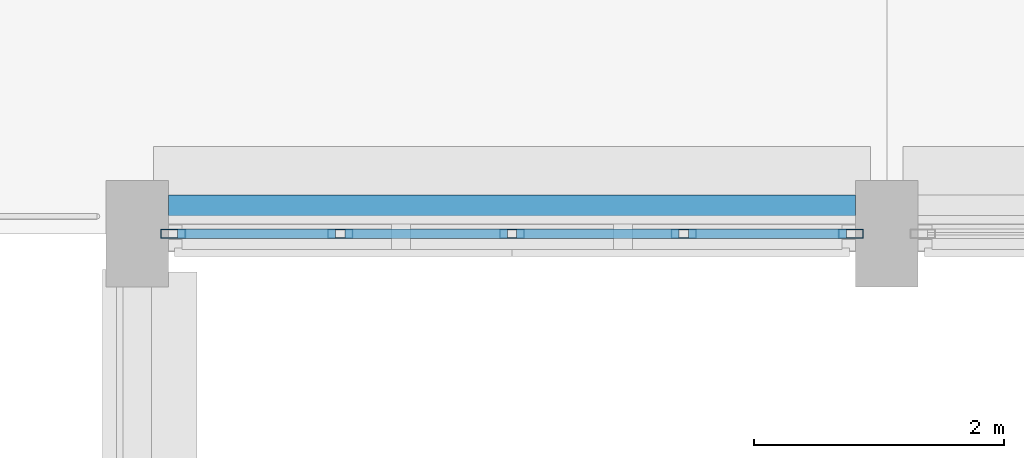
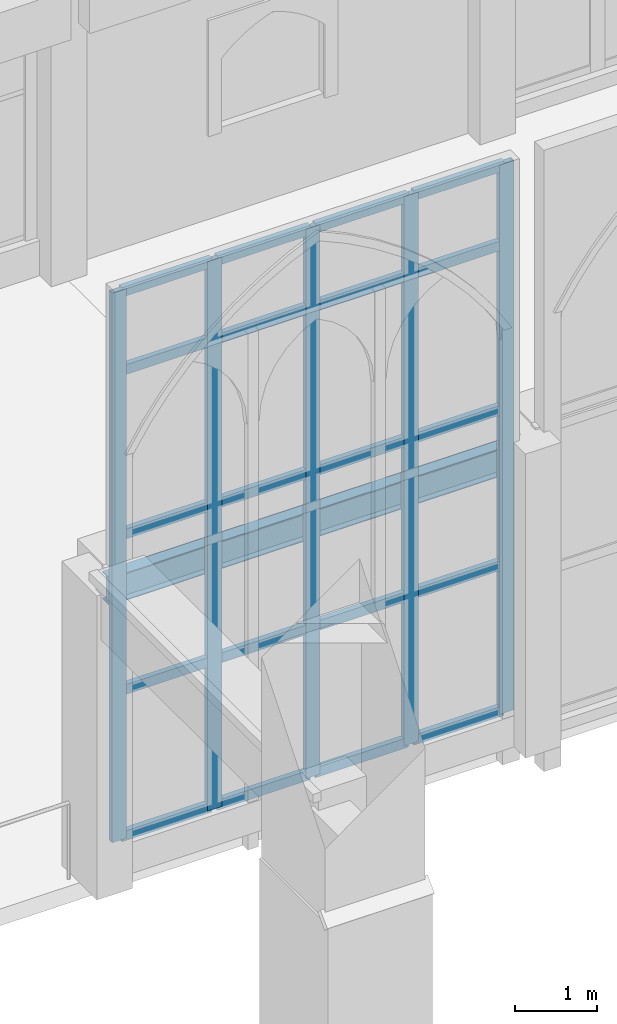
# One storey, part 42 of 108: 25 members, 1 beam, 1 element without a shape of its own.
"""IFC4 building model written with IfcOpenShell, lengths in metres."""

from ifc_helpers import new_model, si_unit, direction, frame, origin, origin_2d, place, context, subcontext, project, spatial, hollow_rectangle, i_section, extrude, material, layer, layer_set, material_profile, profile_set, type_object, element, aggregate, save


model = new_model("IFC4")

# Units and contexts
model_context = context("Model", 3, precision=1e-05, world=origin(), true_north=direction((0.0, 1.0)))
body_context = subcontext(model_context, "Body", "Model", "MODEL_VIEW")
ifc_project = project(units=[si_unit("LENGTHUNIT", "METRE"), si_unit("AREAUNIT", "SQUARE_METRE"), si_unit("VOLUMEUNIT", "CUBIC_METRE"), si_unit("PLANEANGLEUNIT", "RADIAN"), si_unit("MASSUNIT", "GRAM", prefix="KILO")], contexts=[model_context])

# Site, building, storey
site_placement = place(None, origin())
site = spatial("IfcSite", under=ifc_project, at=site_placement, CompositionType="ELEMENT")
building_placement = place(site_placement, origin())
building = spatial("IfcBuilding", under=site, at=building_placement, Name="Cumevento Cable Car Station", CompositionType="ELEMENT")
storey_placement = place(building_placement, frame((0.0, 0.0, 13.5)))
storey = spatial("IfcBuildingStorey", under=building, at=storey_placement, Name="L04", CompositionType="ELEMENT", Elevation=13.5)

# Curtain wall, members
ifc_material_1 = material(Name="Anodised Bronze Aluminium AW-6063-T6", Category="aluminium")
ifc_layer = layer(ifc_material_1, 0.196044921875)
ifc_layer_set = layer_set([ifc_layer], Name="Anodised Bronze Aluminium AW-6063-T6")
curtain_wall_type = type_object("IfcCurtainWallType", Name="Lancet Curtain Wall CW-07 1290", PredefinedType="NOTDEFINED", material=ifc_layer_set)
curtain_wall_placement = place(storey_placement, origin())
curtain_wall = element("IfcCurtainWall", 1, at=curtain_wall_placement, inside=storey, type_object=curtain_wall_type, Name="Lancet Curtain Wall CW-07 L04 #166", PredefinedType="NOTDEFINED")
ifc_material_2 = material(Name="Anodised Bronze Aluminium AW-6063-T6", Category="aluminium")
ifc_material_profile_1 = material_profile(ifc_material_2, hollow_rectangle(XDim=0.074951171875, YDim=0.199951171875, WallThickness=0.0048828125, at=origin_2d()), Name="ALUM75x200x5")
ifc_profile_set_1 = profile_set([ifc_material_profile_1], Name="Anodised Bronze Aluminium AW-6063-T6")
member_type_1 = type_object("IfcMemberType", Name="Curtain Mullion CWM-02 ALUM75x200x5", PredefinedType="MULLION", material=ifc_profile_set_1)
member_1_placement = place(storey_placement, frame((105.71240234375, 45.0, 0.4599609375), z_axis=(0.0, 0.0, 1.0), x_axis=(0.0, -1.0, 0.0)))
member_1 = element("IfcMember", 2, at=member_1_placement, type_object=member_type_1, Name="CW-07 mullion 1", PredefinedType="MULLION", context=body_context, shape_type="SweptSolid", body=[
    extrude(hollow_rectangle(XDim=0.074951171875, YDim=0.199951171875, WallThickness=0.0048828125, at=origin_2d()), origin(), (0.0, 0.0, 1.0), 8.133056640625),
])
member_2_placement = place(storey_placement, frame((104.375, 45.0, 0.4599609375), z_axis=(0.0, 0.0, 1.0), x_axis=(0.0, -1.0, 0.0)))
member_2 = element("IfcMember", 3, at=member_2_placement, type_object=member_type_1, Name="CW-07 mullion 2", PredefinedType="MULLION", context=body_context, shape_type="SweptSolid", body=[
    extrude(hollow_rectangle(XDim=0.074951171875, YDim=0.199951171875, WallThickness=0.0048828125, at=origin_2d()), origin(), (0.0, 0.0, 1.0), 8.133056640625),
])
member_3_placement = place(storey_placement, frame((103.0, 45.0, 0.4599609375), z_axis=(0.0, 0.0, 1.0), x_axis=(0.0, -1.0, 0.0)))
member_3 = element("IfcMember", 4, at=member_3_placement, type_object=member_type_1, Name="CW-07 mullion 3", PredefinedType="MULLION", context=body_context, shape_type="SweptSolid", body=[
    extrude(hollow_rectangle(XDim=0.074951171875, YDim=0.199951171875, WallThickness=0.0048828125, at=origin_2d()), origin(), (0.0, 0.0, 1.0), 8.133056640625),
])
member_4_placement = place(storey_placement, frame((101.625, 45.0, 0.4599609375), z_axis=(0.0, 0.0, 1.0), x_axis=(0.0, -1.0, 0.0)))
member_4 = element("IfcMember", 5, at=member_4_placement, type_object=member_type_1, Name="CW-07 mullion 4", PredefinedType="MULLION", context=body_context, shape_type="SweptSolid", body=[
    extrude(hollow_rectangle(XDim=0.074951171875, YDim=0.199951171875, WallThickness=0.0048828125, at=origin_2d()), origin(), (0.0, 0.0, 1.0), 8.133056640625),
])
member_5_placement = place(storey_placement, frame((100.28759765625, 45.0, 0.4599609375), z_axis=(0.0, 0.0, 1.0), x_axis=(0.0, -1.0, 0.0)))
member_5 = element("IfcMember", 6, at=member_5_placement, type_object=member_type_1, Name="CW-07 mullion 5", PredefinedType="MULLION", context=body_context, shape_type="SweptSolid", body=[
    extrude(hollow_rectangle(XDim=0.074951171875, YDim=0.199951171875, WallThickness=0.0048828125, at=origin_2d()), origin(), (0.0, 0.0, 1.0), 8.133056640625),
])
ifc_material_3 = material(Name="Anodised Bronze Aluminium AW-6063-T6", Category="aluminium")
ifc_material_profile_2 = material_profile(ifc_material_3, hollow_rectangle(XDim=0.074951171875, YDim=0.14501953125, WallThickness=0.00439453125, at=origin_2d()), Name="ALUT75x145x4.5")
ifc_profile_set_2 = profile_set([ifc_material_profile_2], Name="Anodised Bronze Aluminium AW-6063-T6")
member_type_2 = type_object("IfcMemberType", Name="Curtain Transom CWT-02 ALUT75x145x4.5", PredefinedType="USERDEFINED", material=ifc_profile_set_2)
member_6_placement = place(storey_placement, frame((105.675048828125, 45.0, 0.49755859375), z_axis=(-1.0, 0.0, 0.0), x_axis=(0.0, -1.0, 0.0)))
member_6 = element("IfcMember", 7, at=member_6_placement, type_object=member_type_2, Name="CW-07 transom 1.1", ObjectType="TRANSOM", PredefinedType="USERDEFINED", context=body_context, shape_type="SweptSolid", body=[
    extrude(hollow_rectangle(XDim=0.074951171875, YDim=0.14501953125, WallThickness=0.00439453125, at=origin_2d()), origin(), (0.0, 0.0, 1.0), 1.262451171875),
])
member_7_placement = place(storey_placement, frame((105.675048828125, 45.0, 2.659912109375), z_axis=(-1.0, 0.0, 0.0), x_axis=(0.0, -1.0, 0.0)))
member_7 = element("IfcMember", 8, at=member_7_placement, type_object=member_type_2, Name="CW-07 transom 1.2", ObjectType="TRANSOM", PredefinedType="USERDEFINED", context=body_context, shape_type="SweptSolid", body=[
    extrude(hollow_rectangle(XDim=0.074951171875, YDim=0.14501953125, WallThickness=0.00439453125, at=origin_2d()), origin(), (0.0, 0.0, 1.0), 1.262451171875),
])
member_8_placement = place(storey_placement, frame((105.675048828125, 45.0, 4.9599609375), z_axis=(-1.0, 0.0, 0.0), x_axis=(0.0, -1.0, 0.0)))
member_8 = element("IfcMember", 9, at=member_8_placement, type_object=member_type_2, Name="CW-07 transom 1.3", ObjectType="TRANSOM", PredefinedType="USERDEFINED", context=body_context, shape_type="SweptSolid", body=[
    extrude(hollow_rectangle(XDim=0.074951171875, YDim=0.14501953125, WallThickness=0.00439453125, at=origin_2d()), origin(), (0.0, 0.0, 1.0), 1.262451171875),
])
member_9_placement = place(storey_placement, frame((105.675048828125, 45.0, 7.39306640625), z_axis=(-1.0, 0.0, 0.0), x_axis=(0.0, -1.0, 0.0)))
member_9 = element("IfcMember", 10, at=member_9_placement, type_object=member_type_2, Name="CW-07 transom 1.4", ObjectType="TRANSOM", PredefinedType="USERDEFINED", context=body_context, shape_type="SweptSolid", body=[
    extrude(hollow_rectangle(XDim=0.074951171875, YDim=0.14501953125, WallThickness=0.00439453125, at=origin_2d()), origin(), (0.0, 0.0, 1.0), 1.262451171875),
])
member_10_placement = place(storey_placement, frame((105.675048828125, 45.0, 8.555419921875), z_axis=(-1.0, 0.0, 0.0), x_axis=(0.0, -1.0, 0.0)))
member_10 = element("IfcMember", 11, at=member_10_placement, type_object=member_type_2, Name="CW-07 transom 1.5", ObjectType="TRANSOM", PredefinedType="USERDEFINED", context=body_context, shape_type="SweptSolid", body=[
    extrude(hollow_rectangle(XDim=0.074951171875, YDim=0.14501953125, WallThickness=0.00439453125, at=origin_2d()), origin(), (0.0, 0.0, 1.0), 1.262451171875),
])
member_11_placement = place(storey_placement, frame((104.33740234375, 45.0, 0.49755859375), z_axis=(-1.0, 0.0, 0.0), x_axis=(0.0, -1.0, 0.0)))
member_11 = element("IfcMember", 12, at=member_11_placement, type_object=member_type_2, Name="CW-07 transom 2.1", ObjectType="TRANSOM", PredefinedType="USERDEFINED", context=body_context, shape_type="SweptSolid", body=[
    extrude(hollow_rectangle(XDim=0.074951171875, YDim=0.14501953125, WallThickness=0.00439453125, at=origin_2d()), origin(), (0.0, 0.0, 1.0), 1.2998046875),
])
member_12_placement = place(storey_placement, frame((104.33740234375, 45.0, 2.659912109375), z_axis=(-1.0, 0.0, 0.0), x_axis=(0.0, -1.0, 0.0)))
member_12 = element("IfcMember", 13, at=member_12_placement, type_object=member_type_2, Name="CW-07 transom 2.2", ObjectType="TRANSOM", PredefinedType="USERDEFINED", context=body_context, shape_type="SweptSolid", body=[
    extrude(hollow_rectangle(XDim=0.074951171875, YDim=0.14501953125, WallThickness=0.00439453125, at=origin_2d()), origin(), (0.0, 0.0, 1.0), 1.2998046875),
])
member_13_placement = place(storey_placement, frame((104.33740234375, 45.0, 4.9599609375), z_axis=(-1.0, 0.0, 0.0), x_axis=(0.0, -1.0, 0.0)))
member_13 = element("IfcMember", 14, at=member_13_placement, type_object=member_type_2, Name="CW-07 transom 2.3", ObjectType="TRANSOM", PredefinedType="USERDEFINED", context=body_context, shape_type="SweptSolid", body=[
    extrude(hollow_rectangle(XDim=0.074951171875, YDim=0.14501953125, WallThickness=0.00439453125, at=origin_2d()), origin(), (0.0, 0.0, 1.0), 1.2998046875),
])
member_14_placement = place(storey_placement, frame((104.33740234375, 45.0, 7.39306640625), z_axis=(-1.0, 0.0, 0.0), x_axis=(0.0, -1.0, 0.0)))
member_14 = element("IfcMember", 15, at=member_14_placement, type_object=member_type_2, Name="CW-07 transom 2.4", ObjectType="TRANSOM", PredefinedType="USERDEFINED", context=body_context, shape_type="SweptSolid", body=[
    extrude(hollow_rectangle(XDim=0.074951171875, YDim=0.14501953125, WallThickness=0.00439453125, at=origin_2d()), origin(), (0.0, 0.0, 1.0), 1.2998046875),
])
member_15_placement = place(storey_placement, frame((104.33740234375, 45.0, 8.555419921875), z_axis=(-1.0, 0.0, 0.0), x_axis=(0.0, -1.0, 0.0)))
member_15 = element("IfcMember", 16, at=member_15_placement, type_object=member_type_2, Name="CW-07 transom 2.5", ObjectType="TRANSOM", PredefinedType="USERDEFINED", context=body_context, shape_type="SweptSolid", body=[
    extrude(hollow_rectangle(XDim=0.074951171875, YDim=0.14501953125, WallThickness=0.00439453125, at=origin_2d()), origin(), (0.0, 0.0, 1.0), 1.2998046875),
])
member_16_placement = place(storey_placement, frame((102.96240234375, 45.0, 0.49755859375), z_axis=(-1.0, 0.0, 0.0), x_axis=(0.0, -1.0, 0.0)))
member_16 = element("IfcMember", 17, at=member_16_placement, type_object=member_type_2, Name="CW-07 transom 3.1", ObjectType="TRANSOM", PredefinedType="USERDEFINED", context=body_context, shape_type="SweptSolid", body=[
    extrude(hollow_rectangle(XDim=0.074951171875, YDim=0.14501953125, WallThickness=0.00439453125, at=origin_2d()), origin(), (0.0, 0.0, 1.0), 1.2998046875),
])
member_17_placement = place(storey_placement, frame((102.96240234375, 45.0, 2.659912109375), z_axis=(-1.0, 0.0, 0.0), x_axis=(0.0, -1.0, 0.0)))
member_17 = element("IfcMember", 18, at=member_17_placement, type_object=member_type_2, Name="CW-07 transom 3.2", ObjectType="TRANSOM", PredefinedType="USERDEFINED", context=body_context, shape_type="SweptSolid", body=[
    extrude(hollow_rectangle(XDim=0.074951171875, YDim=0.14501953125, WallThickness=0.00439453125, at=origin_2d()), origin(), (0.0, 0.0, 1.0), 1.2998046875),
])
member_18_placement = place(storey_placement, frame((102.96240234375, 45.0, 4.9599609375), z_axis=(-1.0, 0.0, 0.0), x_axis=(0.0, -1.0, 0.0)))
member_18 = element("IfcMember", 19, at=member_18_placement, type_object=member_type_2, Name="CW-07 transom 3.3", ObjectType="TRANSOM", PredefinedType="USERDEFINED", context=body_context, shape_type="SweptSolid", body=[
    extrude(hollow_rectangle(XDim=0.074951171875, YDim=0.14501953125, WallThickness=0.00439453125, at=origin_2d()), origin(), (0.0, 0.0, 1.0), 1.2998046875),
])
member_19_placement = place(storey_placement, frame((102.96240234375, 45.0, 7.39306640625), z_axis=(-1.0, 0.0, 0.0), x_axis=(0.0, -1.0, 0.0)))
member_19 = element("IfcMember", 20, at=member_19_placement, type_object=member_type_2, Name="CW-07 transom 3.4", ObjectType="TRANSOM", PredefinedType="USERDEFINED", context=body_context, shape_type="SweptSolid", body=[
    extrude(hollow_rectangle(XDim=0.074951171875, YDim=0.14501953125, WallThickness=0.00439453125, at=origin_2d()), origin(), (0.0, 0.0, 1.0), 1.2998046875),
])
member_20_placement = place(storey_placement, frame((102.96240234375, 45.0, 8.555419921875), z_axis=(-1.0, 0.0, 0.0), x_axis=(0.0, -1.0, 0.0)))
member_20 = element("IfcMember", 21, at=member_20_placement, type_object=member_type_2, Name="CW-07 transom 3.5", ObjectType="TRANSOM", PredefinedType="USERDEFINED", context=body_context, shape_type="SweptSolid", body=[
    extrude(hollow_rectangle(XDim=0.074951171875, YDim=0.14501953125, WallThickness=0.00439453125, at=origin_2d()), origin(), (0.0, 0.0, 1.0), 1.2998046875),
])
member_21_placement = place(storey_placement, frame((101.58740234375, 45.0, 0.49755859375), z_axis=(-1.0, 0.0, 0.0), x_axis=(0.0, -1.0, 0.0)))
member_21 = element("IfcMember", 22, at=member_21_placement, type_object=member_type_2, Name="CW-07 transom 4.1", ObjectType="TRANSOM", PredefinedType="USERDEFINED", context=body_context, shape_type="SweptSolid", body=[
    extrude(hollow_rectangle(XDim=0.074951171875, YDim=0.14501953125, WallThickness=0.00439453125, at=origin_2d()), origin(), (0.0, 0.0, 1.0), 1.262451171875),
])
member_22_placement = place(storey_placement, frame((101.58740234375, 45.0, 2.659912109375), z_axis=(-1.0, 0.0, 0.0), x_axis=(0.0, -1.0, 0.0)))
member_22 = element("IfcMember", 23, at=member_22_placement, type_object=member_type_2, Name="CW-07 transom 4.2", ObjectType="TRANSOM", PredefinedType="USERDEFINED", context=body_context, shape_type="SweptSolid", body=[
    extrude(hollow_rectangle(XDim=0.074951171875, YDim=0.14501953125, WallThickness=0.00439453125, at=origin_2d()), origin(), (0.0, 0.0, 1.0), 1.262451171875),
])
member_23_placement = place(storey_placement, frame((101.58740234375, 45.0, 4.9599609375), z_axis=(-1.0, 0.0, 0.0), x_axis=(0.0, -1.0, 0.0)))
member_23 = element("IfcMember", 24, at=member_23_placement, type_object=member_type_2, Name="CW-07 transom 4.3", ObjectType="TRANSOM", PredefinedType="USERDEFINED", context=body_context, shape_type="SweptSolid", body=[
    extrude(hollow_rectangle(XDim=0.074951171875, YDim=0.14501953125, WallThickness=0.00439453125, at=origin_2d()), origin(), (0.0, 0.0, 1.0), 1.262451171875),
])
member_24_placement = place(storey_placement, frame((101.58740234375, 45.0, 7.39306640625), z_axis=(-1.0, 0.0, 0.0), x_axis=(0.0, -1.0, 0.0)))
member_24 = element("IfcMember", 25, at=member_24_placement, type_object=member_type_2, Name="CW-07 transom 4.4", ObjectType="TRANSOM", PredefinedType="USERDEFINED", context=body_context, shape_type="SweptSolid", body=[
    extrude(hollow_rectangle(XDim=0.074951171875, YDim=0.14501953125, WallThickness=0.00439453125, at=origin_2d()), origin(), (0.0, 0.0, 1.0), 1.262451171875),
])
member_25_placement = place(storey_placement, frame((101.58740234375, 45.0, 8.555419921875), z_axis=(-1.0, 0.0, 0.0), x_axis=(0.0, -1.0, 0.0)))
member_25 = element("IfcMember", 26, at=member_25_placement, type_object=member_type_2, Name="CW-07 transom 4.5", ObjectType="TRANSOM", PredefinedType="USERDEFINED", context=body_context, shape_type="SweptSolid", body=[
    extrude(hollow_rectangle(XDim=0.074951171875, YDim=0.14501953125, WallThickness=0.00439453125, at=origin_2d()), origin(), (0.0, 0.0, 1.0), 1.262451171875),
])
aggregate(curtain_wall, [member_1, member_2, member_3, member_4, member_5, member_6, member_7, member_8, member_9, member_10, member_11, member_12, member_13, member_14, member_15, member_16, member_17, member_18, member_19, member_20, member_21, member_22, member_23, member_24, member_25])

# Beam
ifc_material_4 = material(Name="Steel ASTM A572 Grade 50", Category="steel")
ifc_material_profile_3 = material_profile(ifc_material_4, i_section(OverallWidth=0.177978515625, OverallDepth=0.406982421875, WebThickness=0.0078125, FlangeThickness=0.0126953125, at=origin_2d()), Name="W410x60.0")
ifc_profile_set_3 = profile_set([ifc_material_profile_3], Name="Steel ASTM A572 Grade 50")
beam_type = type_object("IfcBeamType", Name="Structural Spandrel SP-01 W410x60.0", PredefinedType="SPANDREL", material=ifc_profile_set_3)
beam_placement = place(storey_placement, frame((100.25, 45.219970703125, 4.04638671875), z_axis=(1.0, 0.0, 0.0), x_axis=(0.0, 1.0, 0.0)))
element("IfcBeam", 27, at=beam_placement, inside=storey, type_object=beam_type, Name="Beam SP-01 L04 #1429", PredefinedType="SPANDREL", context=body_context, shape_type="SweptSolid", body=[
    extrude(i_section(OverallWidth=0.177978515625, OverallDepth=0.406982421875, WebThickness=0.0078125, FlangeThickness=0.0126953125, at=origin_2d()), origin(), (0.0, 0.0, 1.0), 5.5),
])

save(model, "model.ifc")
